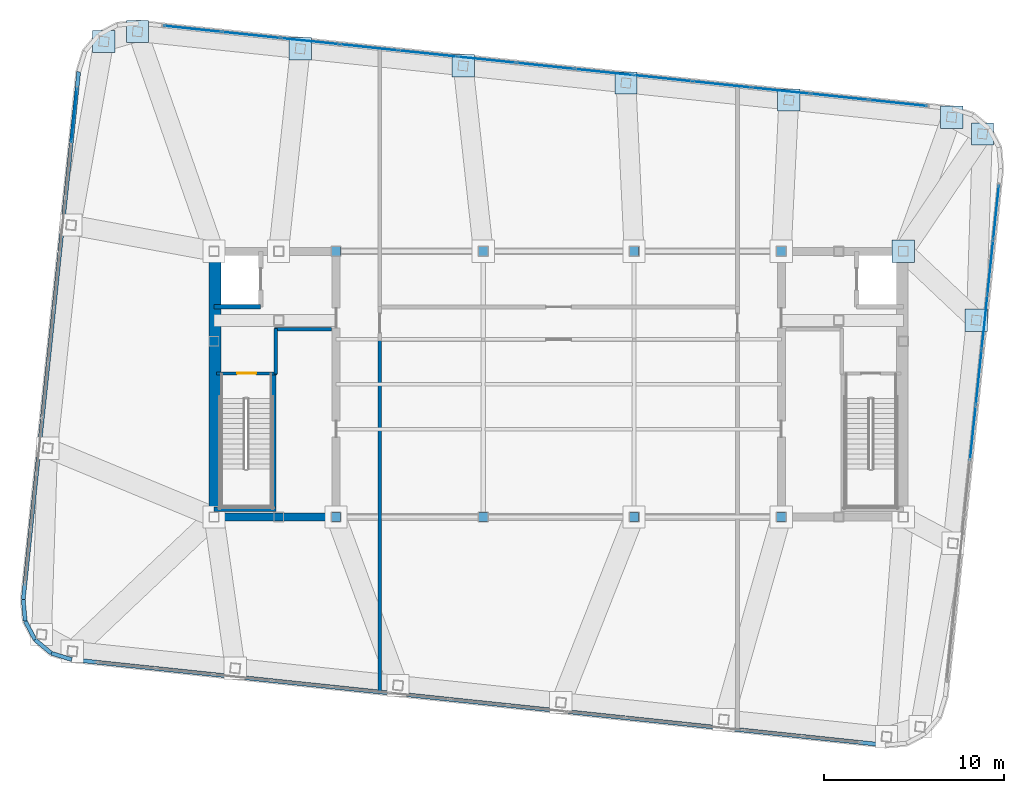
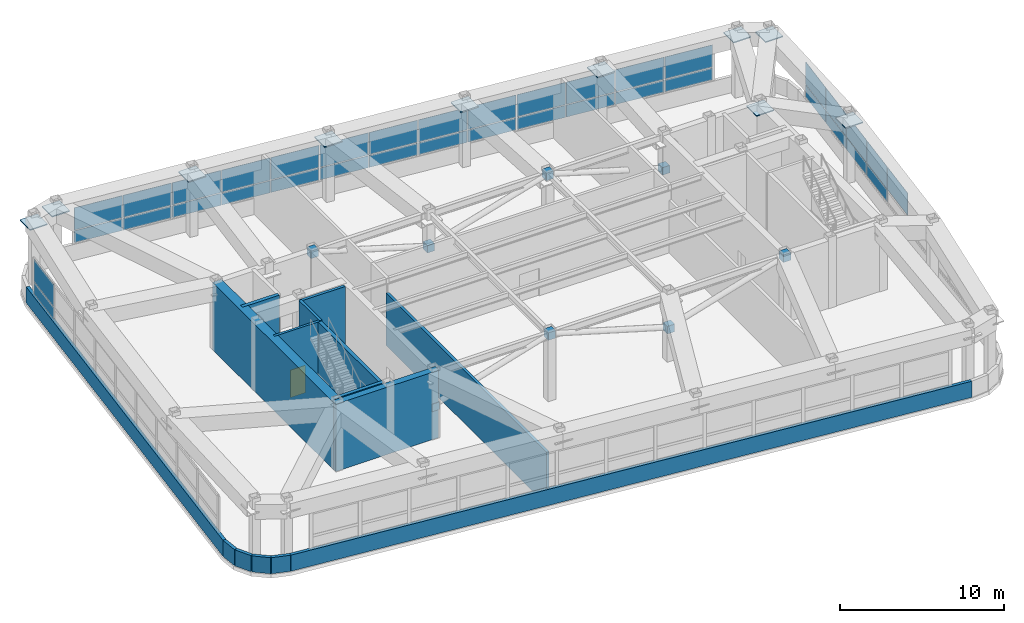
# One storey, part 19 of 23: 55 plates, 15 walls, 1 door, 1 opening, 3 elements without a shape of their own.
"""IFC4 building model written with IfcOpenShell, lengths in metres."""

from ifc_helpers import new_model, si_unit, direction, frame, frame_2d, origin, origin_2d, place, context, subcontext, project, spatial, rectangle, extrude, material, layer, layer_set, type_object, element, fill, aggregate, save


model = new_model("IFC4")

# Units and contexts
model_context = context("Model", 3, precision=1e-05, world=origin(), true_north=direction((0.0, 1.0)))
body_context = subcontext(model_context, "Body", "Model", "MODEL_VIEW")
ifc_project = project(units=[si_unit("LENGTHUNIT", "METRE"), si_unit("AREAUNIT", "SQUARE_METRE"), si_unit("VOLUMEUNIT", "CUBIC_METRE"), si_unit("PLANEANGLEUNIT", "RADIAN"), si_unit("MASSUNIT", "GRAM", prefix="KILO")], contexts=[model_context])

# Site, building, storey
site_placement = place(None, origin())
site = spatial("IfcSite", under=ifc_project, at=site_placement, CompositionType="ELEMENT")
building_placement = place(site_placement, origin())
building = spatial("IfcBuilding", under=site, at=building_placement, Name="Voryun Gate Residences", CompositionType="ELEMENT")
storey_placement = place(building_placement, frame((0.0, 0.0, 316.0)))
storey = spatial("IfcBuildingStorey", under=building, at=storey_placement, Name="L78", CompositionType="ELEMENT", Elevation=316.0)

# Plates
ifc_material_1 = material(Name="Steel SM355", Category="steel")
ifc_layer_1 = layer(ifc_material_1, 0.02490234375, Name="PLT_END_CAP_25")
ifc_layer_set_1 = layer_set([ifc_layer_1], Name="Steel SM355")
plate_type_1 = type_object("IfcPlateType", Name="PLT_END_CAP_25", PredefinedType="USERDEFINED", material=ifc_layer_set_1)
for number, where, z_axis, x_axis, name in (
    (1, (23.263916015625, 3.56201171875, 4.43505859375), (0.0, 0.0, 1.0), (1.0, 0.0, 0.0), "L78 Hollow Member End-Cap Plate EC-960"),
    (2, (23.603759765625, 13.9404296875, 4.43505859375), (0.0, 0.0, 1.0), (1.0, 0.0, 0.0), "L78 Hollow Member End-Cap Plate EC-961"),
    (3, (21.888671875, 14.87158203125, 4.43505859375), (0.0, 0.0, 1.0), (1.0, 0.0, 0.0), "L78 Hollow Member End-Cap Plate EC-962"),
    (4, (12.818603515625, 15.824951171875, 4.43505859375), (0.0, 0.0, 1.0), (1.0, 0.0, 0.0), "L78 Hollow Member End-Cap Plate EC-963"),
    (5, (3.74853515625, 16.7783203125, 4.43505859375), (0.0, 0.0, 1.0), (1.0, 0.0, 0.0), "L78 Hollow Member End-Cap Plate EC-964"),
    (6, (-5.3212890625, 17.731689453125, 4.43505859375), (0.0, 0.0, 1.0), (1.0, 0.0, 0.0), "L78 Hollow Member End-Cap Plate EC-965"),
    (7, (-14.3916015625, 18.684814453125, 4.43505859375), (0.0, 0.0, 1.0), (1.0, 0.0, 0.0), "L78 Hollow Member End-Cap Plate EC-966"),
    (8, (-23.46142578125, 19.63818359375, 4.43505859375), (0.0, 0.0, 1.0), (1.0, 0.0, 0.0), "L78 Hollow Member End-Cap Plate EC-967"),
    (9, (-25.332763671875, 19.083984375, 4.43505859375), (0.0, 0.0, 1.0), (1.0, 0.0, 0.0), "L78 Hollow Member End-Cap Plate EC-968"),
    (10, (19.199951171875, 7.39990234375, 4.43505859375), (0.0, 0.0, 1.0), (1.0, 0.0, 0.0), "L78 Hollow Member End-Cap Plate EC-977"),
):
    element("IfcPlate", number, at=place(storey_placement, frame(where, z_axis=z_axis, x_axis=x_axis)), inside=storey, type_object=plate_type_1, Name=name, ObjectType="BASE_PLATE", PredefinedType="USERDEFINED", context=body_context, shape_type="SweptSolid", body=[
        extrude(rectangle(XDim=1.239990234375, YDim=1.239990234375, at=origin_2d()), origin(), (0.0, 0.0, 1.0), 0.080078125),
    ])
for number, where, z_axis, x_axis, name in (
    (11, (-4.199951171875, -7.39990234375, 4.56494140625), (0.0, 0.0, 1.0), (1.0, 0.0, 0.0), "L78 Brace Node Connection Plate BN-984"),
    (12, (12.39990234375, -7.39990234375, 4.56494140625), (0.0, 0.0, 1.0), (1.0, 0.0, 0.0), "L78 Brace Node Connection Plate BN-986"),
    (13, (-12.39990234375, 7.39990234375, 4.56494140625), (0.0, 0.0, 1.0), (1.0, 0.0, 0.0), "L78 Brace Node Connection Plate BN-988"),
    (14, (12.39990234375, 7.39990234375, 2.099853515625), (0.0, 0.0, 1.0), (1.0, 0.0, 0.0), "L78 Brace Node Connection Plate BN-990"),
):
    element("IfcPlate", number, at=place(storey_placement, frame(where, z_axis=z_axis, x_axis=x_axis)), inside=storey, type_object=plate_type_1, Name=name, ObjectType="BASE_PLATE", PredefinedType="USERDEFINED", context=body_context, shape_type="SweptSolid", body=[
        extrude(rectangle(XDim=0.52001953125, YDim=0.52001953125, at=origin_2d()), origin(), (0.0, 0.0, 1.0), 0.56005859375),
    ])

# Curtain wall, plates
ifc_material_2 = material(Name="Anodised aluminium", Category="aluminium")
ifc_layer_2 = layer(ifc_material_2, 0.22998046875, Name="CW_SYS_LANTERN_DARK_GLASS")
ifc_layer_set_2 = layer_set([ifc_layer_2], Name="Anodised aluminium")
curtain_wall_type = type_object("IfcCurtainWallType", Name="CW_SYS_LANTERN_DARK_GLASS", PredefinedType="NOTDEFINED", material=ifc_layer_set_2)
curtain_wall_1_placement = place(storey_placement, origin())
curtain_wall_1 = element("IfcCurtainWall", 15, at=curtain_wall_1_placement, inside=storey, type_object=curtain_wall_type, Name="Curtain wall CW6-L78-06", PredefinedType="NOTDEFINED")
ifc_material_3 = material(Name="Fritted lantern glass", Category="glass")
ifc_layer_3 = layer(ifc_material_3, 0.050048828125, Name="PLT_GLASS_FRIT_LANTERN")
ifc_layer_set_3 = layer_set([ifc_layer_3], Name="Fritted lantern glass")
plate_type_2 = type_object("IfcPlateType", Name="PLT_GLASS_FRIT_LANTERN", PredefinedType="CURTAIN_PANEL", material=ifc_layer_set_3)
plate_1_placement = place(storey_placement, frame((-26.989013671875, 14.9677734375, 1.25), z_axis=(0.0, 0.0, 1.0), x_axis=(0.104528004296, 0.994521943608, 0.0)))
plate_1 = element("IfcPlate", 16, at=plate_1_placement, type_object=plate_type_2, Name="CW6 panel 9.1", PredefinedType="CURTAIN_PANEL", context=body_context, shape_type="SweptSolid", body=[
    extrude(rectangle(XDim=2.997802734375, YDim=0.028076171875, at=origin_2d()), origin(), (0.0, 0.0, 1.0), 0.89111328125),
])
plate_2_placement = place(storey_placement, frame((-26.989013671875, 14.9677734375, 2.201171875), z_axis=(0.0, 0.0, 1.0), x_axis=(0.104528004296, 0.994521943608, 0.0)))
plate_2 = element("IfcPlate", 17, at=plate_2_placement, type_object=plate_type_2, Name="CW6 panel 9.2", PredefinedType="CURTAIN_PANEL", context=body_context, shape_type="SweptSolid", body=[
    extrude(rectangle(XDim=2.997802734375, YDim=0.028076171875, at=origin_2d()), origin(), (0.0, 0.0, 1.0), 1.654052734375),
])
aggregate(curtain_wall_1, [plate_1, plate_2])

curtain_wall_2_placement = place(storey_placement, origin())
curtain_wall_2 = element("IfcCurtainWall", 18, at=curtain_wall_2_placement, inside=storey, type_object=curtain_wall_type, Name="Curtain wall CW6-L78-11", PredefinedType="NOTDEFINED")
plate_3_placement = place(storey_placement, frame((-20.382080078125, 19.787109375, 1.25), z_axis=(0.0, 0.0, 1.0), x_axis=(0.994521969434, -0.10452775858, 0.0)))
plate_3 = element("IfcPlate", 19, at=plate_3_placement, type_object=plate_type_2, Name="CW6 panel 1.1", PredefinedType="CURTAIN_PANEL", context=body_context, shape_type="SweptSolid", body=[
    extrude(rectangle(XDim=3.20458984375, YDim=0.028076171875, at=origin_2d()), origin(), (0.0, 0.0, 1.0), 0.89111328125),
])
plate_4_placement = place(storey_placement, frame((-20.382080078125, 19.787109375, 2.201171875), z_axis=(0.0, 0.0, 1.0), x_axis=(0.994521969434, -0.10452775858, 0.0)))
plate_4 = element("IfcPlate", 20, at=plate_4_placement, type_object=plate_type_2, Name="CW6 panel 1.2", PredefinedType="CURTAIN_PANEL", context=body_context, shape_type="SweptSolid", body=[
    extrude(rectangle(XDim=3.20458984375, YDim=0.028076171875, at=origin_2d()), origin(), (0.0, 0.0, 1.0), 1.654052734375),
])
plate_5_placement = place(storey_placement, frame((-17.120361328125, 19.4443359375, 1.25), z_axis=(0.0, 0.0, 1.0), x_axis=(0.994521969434, -0.10452775858, 0.0)))
plate_5 = element("IfcPlate", 21, at=plate_5_placement, type_object=plate_type_2, Name="CW6 panel 2.1", PredefinedType="CURTAIN_PANEL", context=body_context, shape_type="SweptSolid", body=[
    extrude(rectangle(XDim=3.234619140625, YDim=0.028076171875, at=origin_2d()), origin(), (0.0, 0.0, 1.0), 0.89111328125),
])
plate_6_placement = place(storey_placement, frame((-17.120361328125, 19.4443359375, 2.201171875), z_axis=(0.0, 0.0, 1.0), x_axis=(0.994521969434, -0.10452775858, 0.0)))
plate_6 = element("IfcPlate", 22, at=plate_6_placement, type_object=plate_type_2, Name="CW6 panel 2.2", PredefinedType="CURTAIN_PANEL", context=body_context, shape_type="SweptSolid", body=[
    extrude(rectangle(XDim=3.234619140625, YDim=0.028076171875, at=origin_2d()), origin(), (0.0, 0.0, 1.0), 1.654052734375),
])
plate_7_placement = place(storey_placement, frame((-13.84375, 19.099853515625, 1.25), z_axis=(0.0, 0.0, 1.0), x_axis=(0.994521969434, -0.10452775858, 0.0)))
plate_7 = element("IfcPlate", 23, at=plate_7_placement, type_object=plate_type_2, Name="CW6 panel 3.1", PredefinedType="CURTAIN_PANEL", context=body_context, shape_type="SweptSolid", body=[
    extrude(rectangle(XDim=3.234619140625, YDim=0.028076171875, at=origin_2d()), origin(), (0.0, 0.0, 1.0), 0.89111328125),
])
plate_8_placement = place(storey_placement, frame((-13.84375, 19.099853515625, 2.201171875), z_axis=(0.0, 0.0, 1.0), x_axis=(0.994521969434, -0.10452775858, 0.0)))
plate_8 = element("IfcPlate", 24, at=plate_8_placement, type_object=plate_type_2, Name="CW6 panel 3.2", PredefinedType="CURTAIN_PANEL", context=body_context, shape_type="SweptSolid", body=[
    extrude(rectangle(XDim=3.234619140625, YDim=0.028076171875, at=origin_2d()), origin(), (0.0, 0.0, 1.0), 1.654052734375),
])
plate_9_placement = place(storey_placement, frame((-10.567138671875, 18.755615234375, 1.25), z_axis=(0.0, 0.0, 1.0), x_axis=(0.994521969434, -0.10452775858, 0.0)))
plate_9 = element("IfcPlate", 25, at=plate_9_placement, type_object=plate_type_2, Name="CW6 panel 4.1", PredefinedType="CURTAIN_PANEL", context=body_context, shape_type="SweptSolid", body=[
    extrude(rectangle(XDim=3.234619140625, YDim=0.028076171875, at=origin_2d()), origin(), (0.0, 0.0, 1.0), 0.89111328125),
])
plate_10_placement = place(storey_placement, frame((-10.567138671875, 18.755615234375, 2.201171875), z_axis=(0.0, 0.0, 1.0), x_axis=(0.994521969434, -0.10452775858, 0.0)))
plate_10 = element("IfcPlate", 26, at=plate_10_placement, type_object=plate_type_2, Name="CW6 panel 4.2", PredefinedType="CURTAIN_PANEL", context=body_context, shape_type="SweptSolid", body=[
    extrude(rectangle(XDim=3.234619140625, YDim=0.028076171875, at=origin_2d()), origin(), (0.0, 0.0, 1.0), 1.654052734375),
])
plate_11_placement = place(storey_placement, frame((-7.29052734375, 18.4111328125, 1.25), z_axis=(0.0, 0.0, 1.0), x_axis=(0.994521969434, -0.10452775858, 0.0)))
plate_11 = element("IfcPlate", 27, at=plate_11_placement, type_object=plate_type_2, Name="CW6 panel 5.1", PredefinedType="CURTAIN_PANEL", context=body_context, shape_type="SweptSolid", body=[
    extrude(rectangle(XDim=3.234619140625, YDim=0.028076171875, at=origin_2d()), origin(), (0.0, 0.0, 1.0), 0.89111328125),
])
plate_12_placement = place(storey_placement, frame((-7.29052734375, 18.4111328125, 2.201171875), z_axis=(0.0, 0.0, 1.0), x_axis=(0.994521969434, -0.10452775858, 0.0)))
plate_12 = element("IfcPlate", 28, at=plate_12_placement, type_object=plate_type_2, Name="CW6 panel 5.2", PredefinedType="CURTAIN_PANEL", context=body_context, shape_type="SweptSolid", body=[
    extrude(rectangle(XDim=3.234619140625, YDim=0.028076171875, at=origin_2d()), origin(), (0.0, 0.0, 1.0), 1.654052734375),
])
plate_13_placement = place(storey_placement, frame((-4.013916015625, 18.06689453125, 1.25), z_axis=(0.0, 0.0, 1.0), x_axis=(0.994521969434, -0.10452775858, 0.0)))
plate_13 = element("IfcPlate", 29, at=plate_13_placement, type_object=plate_type_2, Name="CW6 panel 6.1", PredefinedType="CURTAIN_PANEL", context=body_context, shape_type="SweptSolid", body=[
    extrude(rectangle(XDim=3.234619140625, YDim=0.028076171875, at=origin_2d()), origin(), (0.0, 0.0, 1.0), 0.89111328125),
])
plate_14_placement = place(storey_placement, frame((-4.013916015625, 18.06689453125, 2.201171875), z_axis=(0.0, 0.0, 1.0), x_axis=(0.994521969434, -0.10452775858, 0.0)))
plate_14 = element("IfcPlate", 30, at=plate_14_placement, type_object=plate_type_2, Name="CW6 panel 6.2", PredefinedType="CURTAIN_PANEL", context=body_context, shape_type="SweptSolid", body=[
    extrude(rectangle(XDim=3.234619140625, YDim=0.028076171875, at=origin_2d()), origin(), (0.0, 0.0, 1.0), 1.654052734375),
])
plate_15_placement = place(storey_placement, frame((-0.7373046875, 17.722412109375, 1.25), z_axis=(0.0, 0.0, 1.0), x_axis=(0.994521969434, -0.10452775858, 0.0)))
plate_15 = element("IfcPlate", 31, at=plate_15_placement, type_object=plate_type_2, Name="CW6 panel 7.1", PredefinedType="CURTAIN_PANEL", context=body_context, shape_type="SweptSolid", body=[
    extrude(rectangle(XDim=3.234619140625, YDim=0.028076171875, at=origin_2d()), origin(), (0.0, 0.0, 1.0), 0.89111328125),
])
plate_16_placement = place(storey_placement, frame((-0.7373046875, 17.722412109375, 2.201171875), z_axis=(0.0, 0.0, 1.0), x_axis=(0.994521969434, -0.10452775858, 0.0)))
plate_16 = element("IfcPlate", 32, at=plate_16_placement, type_object=plate_type_2, Name="CW6 panel 7.2", PredefinedType="CURTAIN_PANEL", context=body_context, shape_type="SweptSolid", body=[
    extrude(rectangle(XDim=3.234619140625, YDim=0.028076171875, at=origin_2d()), origin(), (0.0, 0.0, 1.0), 1.654052734375),
])
plate_17_placement = place(storey_placement, frame((2.539306640625, 17.3779296875, 1.25), z_axis=(0.0, 0.0, 1.0), x_axis=(0.994521969434, -0.10452775858, 0.0)))
plate_17 = element("IfcPlate", 33, at=plate_17_placement, type_object=plate_type_2, Name="CW6 panel 8.1", PredefinedType="CURTAIN_PANEL", context=body_context, shape_type="SweptSolid", body=[
    extrude(rectangle(XDim=3.234619140625, YDim=0.028076171875, at=origin_2d()), origin(), (0.0, 0.0, 1.0), 0.89111328125),
])
plate_18_placement = place(storey_placement, frame((2.539306640625, 17.3779296875, 2.201171875), z_axis=(0.0, 0.0, 1.0), x_axis=(0.994521969434, -0.10452775858, 0.0)))
plate_18 = element("IfcPlate", 34, at=plate_18_placement, type_object=plate_type_2, Name="CW6 panel 8.2", PredefinedType="CURTAIN_PANEL", context=body_context, shape_type="SweptSolid", body=[
    extrude(rectangle(XDim=3.234619140625, YDim=0.028076171875, at=origin_2d()), origin(), (0.0, 0.0, 1.0), 1.654052734375),
])
plate_19_placement = place(storey_placement, frame((5.81591796875, 17.03369140625, 1.25), z_axis=(0.0, 0.0, 1.0), x_axis=(0.994521969434, -0.10452775858, 0.0)))
plate_19 = element("IfcPlate", 35, at=plate_19_placement, type_object=plate_type_2, Name="CW6 panel 9.1", PredefinedType="CURTAIN_PANEL", context=body_context, shape_type="SweptSolid", body=[
    extrude(rectangle(XDim=3.234619140625, YDim=0.028076171875, at=origin_2d()), origin(), (0.0, 0.0, 1.0), 0.89111328125),
])
plate_20_placement = place(storey_placement, frame((5.81591796875, 17.03369140625, 2.201171875), z_axis=(0.0, 0.0, 1.0), x_axis=(0.994521969434, -0.10452775858, 0.0)))
plate_20 = element("IfcPlate", 36, at=plate_20_placement, type_object=plate_type_2, Name="CW6 panel 9.2", PredefinedType="CURTAIN_PANEL", context=body_context, shape_type="SweptSolid", body=[
    extrude(rectangle(XDim=3.234619140625, YDim=0.028076171875, at=origin_2d()), origin(), (0.0, 0.0, 1.0), 1.654052734375),
])
plate_21_placement = place(storey_placement, frame((9.092529296875, 16.689208984375, 1.25), z_axis=(0.0, 0.0, 1.0), x_axis=(0.994521969434, -0.10452775858, 0.0)))
plate_21 = element("IfcPlate", 37, at=plate_21_placement, type_object=plate_type_2, Name="CW6 panel 10.1", PredefinedType="CURTAIN_PANEL", context=body_context, shape_type="SweptSolid", body=[
    extrude(rectangle(XDim=3.234619140625, YDim=0.028076171875, at=origin_2d()), origin(), (0.0, 0.0, 1.0), 0.89111328125),
])
plate_22_placement = place(storey_placement, frame((9.092529296875, 16.689208984375, 2.201171875), z_axis=(0.0, 0.0, 1.0), x_axis=(0.994521969434, -0.10452775858, 0.0)))
plate_22 = element("IfcPlate", 38, at=plate_22_placement, type_object=plate_type_2, Name="CW6 panel 10.2", PredefinedType="CURTAIN_PANEL", context=body_context, shape_type="SweptSolid", body=[
    extrude(rectangle(XDim=3.234619140625, YDim=0.028076171875, at=origin_2d()), origin(), (0.0, 0.0, 1.0), 1.654052734375),
])
plate_23_placement = place(storey_placement, frame((12.369140625, 16.344970703125, 1.25), z_axis=(0.0, 0.0, 1.0), x_axis=(0.994521969434, -0.10452775858, 0.0)))
plate_23 = element("IfcPlate", 39, at=plate_23_placement, type_object=plate_type_2, Name="CW6 panel 11.1", PredefinedType="CURTAIN_PANEL", context=body_context, shape_type="SweptSolid", body=[
    extrude(rectangle(XDim=3.234619140625, YDim=0.028076171875, at=origin_2d()), origin(), (0.0, 0.0, 1.0), 0.89111328125),
])
plate_24_placement = place(storey_placement, frame((12.369140625, 16.344970703125, 2.201171875), z_axis=(0.0, 0.0, 1.0), x_axis=(0.994521969434, -0.10452775858, 0.0)))
plate_24 = element("IfcPlate", 40, at=plate_24_placement, type_object=plate_type_2, Name="CW6 panel 11.2", PredefinedType="CURTAIN_PANEL", context=body_context, shape_type="SweptSolid", body=[
    extrude(rectangle(XDim=3.234619140625, YDim=0.028076171875, at=origin_2d()), origin(), (0.0, 0.0, 1.0), 1.654052734375),
])
plate_25_placement = place(storey_placement, frame((15.645751953125, 16.00048828125, 1.25), z_axis=(0.0, 0.0, 1.0), x_axis=(0.994521969434, -0.10452775858, 0.0)))
plate_25 = element("IfcPlate", 41, at=plate_25_placement, type_object=plate_type_2, Name="CW6 panel 12.1", PredefinedType="CURTAIN_PANEL", context=body_context, shape_type="SweptSolid", body=[
    extrude(rectangle(XDim=3.234619140625, YDim=0.028076171875, at=origin_2d()), origin(), (0.0, 0.0, 1.0), 0.89111328125),
])
plate_26_placement = place(storey_placement, frame((15.645751953125, 16.00048828125, 2.201171875), z_axis=(0.0, 0.0, 1.0), x_axis=(0.994521969434, -0.10452775858, 0.0)))
plate_26 = element("IfcPlate", 42, at=plate_26_placement, type_object=plate_type_2, Name="CW6 panel 12.2", PredefinedType="CURTAIN_PANEL", context=body_context, shape_type="SweptSolid", body=[
    extrude(rectangle(XDim=3.234619140625, YDim=0.028076171875, at=origin_2d()), origin(), (0.0, 0.0, 1.0), 1.654052734375),
])
plate_27_placement = place(storey_placement, frame((18.907470703125, 15.65771484375, 1.25), z_axis=(0.0, 0.0, 1.0), x_axis=(0.994521969434, -0.10452775858, 0.0)))
plate_27 = element("IfcPlate", 43, at=plate_27_placement, type_object=plate_type_2, Name="CW6 panel 13.1", PredefinedType="CURTAIN_PANEL", context=body_context, shape_type="SweptSolid", body=[
    extrude(rectangle(XDim=3.20458984375, YDim=0.028076171875, at=origin_2d()), origin(), (0.0, 0.0, 1.0), 0.89111328125),
])
plate_28_placement = place(storey_placement, frame((18.907470703125, 15.65771484375, 2.201171875), z_axis=(0.0, 0.0, 1.0), x_axis=(0.994521969434, -0.10452775858, 0.0)))
plate_28 = element("IfcPlate", 44, at=plate_28_placement, type_object=plate_type_2, Name="CW6 panel 13.2", PredefinedType="CURTAIN_PANEL", context=body_context, shape_type="SweptSolid", body=[
    extrude(rectangle(XDim=3.20458984375, YDim=0.028076171875, at=origin_2d()), origin(), (0.0, 0.0, 1.0), 1.654052734375),
])
aggregate(curtain_wall_2, [plate_3, plate_4, plate_5, plate_6, plate_7, plate_8, plate_9, plate_10, plate_11, plate_12, plate_13, plate_14, plate_15, plate_16, plate_17, plate_18, plate_19, plate_20, plate_21, plate_22, plate_23, plate_24, plate_25, plate_26, plate_27, plate_28])

curtain_wall_3_placement = place(storey_placement, origin())
curtain_wall_3 = element("IfcCurtainWall", 45, at=curtain_wall_3_placement, inside=storey, type_object=curtain_wall_type, Name="Curtain wall CW6-L78-16", PredefinedType="NOTDEFINED")
plate_29_placement = place(storey_placement, frame((24.3681640625, 9.56982421875, 1.25), z_axis=(0.0, 0.0, 1.0), x_axis=(-0.104528004296, -0.994521943608, 0.0)))
plate_29 = element("IfcPlate", 46, at=plate_29_placement, type_object=plate_type_2, Name="CW6 panel 1.1", PredefinedType="CURTAIN_PANEL", context=body_context, shape_type="SweptSolid", body=[
    extrude(rectangle(XDim=2.997802734375, YDim=0.028076171875, at=origin_2d()), origin(), (0.0, 0.0, 1.0), 0.89111328125),
])
plate_30_placement = place(storey_placement, frame((24.3681640625, 9.56982421875, 2.201171875), z_axis=(0.0, 0.0, 1.0), x_axis=(-0.104528004296, -0.994521943608, 0.0)))
plate_30 = element("IfcPlate", 47, at=plate_30_placement, type_object=plate_type_2, Name="CW6 panel 1.2", PredefinedType="CURTAIN_PANEL", context=body_context, shape_type="SweptSolid", body=[
    extrude(rectangle(XDim=2.997802734375, YDim=0.028076171875, at=origin_2d()), origin(), (0.0, 0.0, 1.0), 1.654052734375),
])
plate_31_placement = place(storey_placement, frame((24.046875, 6.513916015625, 1.25), z_axis=(0.0, 0.0, 1.0), x_axis=(-0.104528004296, -0.994521943608, 0.0)))
plate_31 = element("IfcPlate", 48, at=plate_31_placement, type_object=plate_type_2, Name="CW6 panel 2.1", PredefinedType="CURTAIN_PANEL", context=body_context, shape_type="SweptSolid", body=[
    extrude(rectangle(XDim=3.02783203125, YDim=0.028076171875, at=origin_2d()), origin(), (0.0, 0.0, 1.0), 0.89111328125),
])
plate_32_placement = place(storey_placement, frame((24.046875, 6.513916015625, 2.201171875), z_axis=(0.0, 0.0, 1.0), x_axis=(-0.104528004296, -0.994521943608, 0.0)))
plate_32 = element("IfcPlate", 49, at=plate_32_placement, type_object=plate_type_2, Name="CW6 panel 2.2", PredefinedType="CURTAIN_PANEL", context=body_context, shape_type="SweptSolid", body=[
    extrude(rectangle(XDim=3.02783203125, YDim=0.028076171875, at=origin_2d()), origin(), (0.0, 0.0, 1.0), 1.654052734375),
])
plate_33_placement = place(storey_placement, frame((23.72412109375, 3.44287109375, 1.25), z_axis=(0.0, 0.0, 1.0), x_axis=(-0.104528004296, -0.994521943608, 0.0)))
plate_33 = element("IfcPlate", 50, at=plate_33_placement, type_object=plate_type_2, Name="CW6 panel 3.1", PredefinedType="CURTAIN_PANEL", context=body_context, shape_type="SweptSolid", body=[
    extrude(rectangle(XDim=3.02783203125, YDim=0.028076171875, at=origin_2d()), origin(), (0.0, 0.0, 1.0), 0.89111328125),
])
plate_34_placement = place(storey_placement, frame((23.72412109375, 3.44287109375, 2.201171875), z_axis=(0.0, 0.0, 1.0), x_axis=(-0.104528004296, -0.994521943608, 0.0)))
plate_34 = element("IfcPlate", 51, at=plate_34_placement, type_object=plate_type_2, Name="CW6 panel 3.2", PredefinedType="CURTAIN_PANEL", context=body_context, shape_type="SweptSolid", body=[
    extrude(rectangle(XDim=3.02783203125, YDim=0.028076171875, at=origin_2d()), origin(), (0.0, 0.0, 1.0), 1.654052734375),
])
plate_35_placement = place(storey_placement, frame((23.4013671875, 0.3720703125, 1.25), z_axis=(0.0, 0.0, 1.0), x_axis=(-0.104528004296, -0.994521943608, 0.0)))
plate_35 = element("IfcPlate", 52, at=plate_35_placement, type_object=plate_type_2, Name="CW6 panel 4.1", PredefinedType="CURTAIN_PANEL", context=body_context, shape_type="SweptSolid", body=[
    extrude(rectangle(XDim=3.02783203125, YDim=0.028076171875, at=origin_2d()), origin(), (0.0, 0.0, 1.0), 0.89111328125),
])
plate_36_placement = place(storey_placement, frame((23.4013671875, 0.3720703125, 2.201171875), z_axis=(0.0, 0.0, 1.0), x_axis=(-0.104528004296, -0.994521943608, 0.0)))
plate_36 = element("IfcPlate", 53, at=plate_36_placement, type_object=plate_type_2, Name="CW6 panel 4.2", PredefinedType="CURTAIN_PANEL", context=body_context, shape_type="SweptSolid", body=[
    extrude(rectangle(XDim=3.02783203125, YDim=0.028076171875, at=origin_2d()), origin(), (0.0, 0.0, 1.0), 1.654052734375),
])
plate_37_placement = place(storey_placement, frame((23.07861328125, -2.698974609375, 2.201171875), z_axis=(0.0, 0.0, 1.0), x_axis=(-0.104528004296, -0.994521943608, 0.0)))
plate_37 = element("IfcPlate", 54, at=plate_37_placement, type_object=plate_type_2, Name="CW6 panel 5.2", PredefinedType="CURTAIN_PANEL", context=body_context, shape_type="SweptSolid", body=[
    extrude(rectangle(XDim=3.02783203125, YDim=0.028076171875, at=origin_2d()), origin(), (0.0, 0.0, 1.0), 1.654052734375),
])
aggregate(curtain_wall_3, [plate_29, plate_30, plate_31, plate_32, plate_33, plate_34, plate_35, plate_36, plate_37])

# Plates
ifc_material_4 = material(Name="Steel SM420", Category="steel")
ifc_layer_4 = layer(ifc_material_4, 0.035888671875, Name="PLT_OUTRIGGER_GUSSET_36")
ifc_layer_set_4 = layer_set([ifc_layer_4], Name="Steel SM420")
plate_type_3 = type_object("IfcPlateType", Name="PLT_OUTRIGGER_GUSSET_36", PredefinedType="USERDEFINED", material=ifc_layer_set_4)
for number, where, z_axis, x_axis, name in (
    (55, (-12.39990234375, -7.39990234375, 2.099853515625), (0.0, 0.0, 1.0), (1.0, 0.0, 0.0), "L78 Brace Node Connection Plate BN-983"),
    (56, (4.199951171875, -7.39990234375, 2.099853515625), (0.0, 0.0, 1.0), (1.0, 0.0, 0.0), "L78 Brace Node Connection Plate BN-985"),
    (57, (-4.199951171875, 7.39990234375, 2.099853515625), (0.0, 0.0, 1.0), (1.0, 0.0, 0.0), "L78 Brace Node Connection Plate BN-987"),
    (58, (4.199951171875, 7.39990234375, 4.56494140625), (0.0, 0.0, 1.0), (1.0, 0.0, 0.0), "L78 Brace Node Connection Plate BN-989"),
):
    element("IfcPlate", number, at=place(storey_placement, frame(where, z_axis=z_axis, x_axis=x_axis)), inside=storey, type_object=plate_type_3, Name=name, ObjectType="GUSSET_PLATE", PredefinedType="USERDEFINED", context=body_context, shape_type="SweptSolid", body=[
        extrude(rectangle(XDim=0.52001953125, YDim=0.52001953125, at=origin_2d()), origin(), (0.0, 0.0, 1.0), 0.56005859375),
    ])

# Walls
ifc_material_5 = material(Name="Concrete C50/60", Category="concrete")
ifc_layer_5 = layer(ifc_material_5, 0.449951171875, Name="CW_CORE_450")
ifc_layer_set_5 = layer_set([ifc_layer_5], Name="Concrete C50/60")
wall_type_1 = type_object("IfcWallType", Name="CW_CORE_450", PredefinedType="SHEAR", material=ifc_layer_set_5)
wall_1_placement = place(storey_placement, frame((-19.425048828125, -7.39990234375, 0.0), z_axis=(0.0, 0.0, 1.0), x_axis=(1.0, 0.0, 0.0)))
element("IfcWall", 59, at=wall_1_placement, inside=storey, type_object=wall_type_1, Name="L78 Core shear wall CW-L78-WS", PredefinedType="SHEAR", context=body_context, shape_type="SweptSolid", body=[
    extrude(rectangle(XDim=7.25, YDim=0.449951171875, at=frame_2d((3.625, 0.0))), origin(), (0.0, 0.0, 1.0), 5.02490234375),
])
ifc_material_6 = material(Name="Concrete C60/75", Category="concrete")
ifc_layer_6 = layer(ifc_material_6, 0.64990234375, Name="CW_CORE_650")
ifc_layer_set_6 = layer_set([ifc_layer_6], Name="Concrete C60/75")
wall_type_2 = type_object("IfcWallType", Name="CW_CORE_650", PredefinedType="SHEAR", material=ifc_layer_set_6)
wall_2_placement = place(storey_placement, frame((-19.14501953125, -7.39990234375, 0.0), z_axis=(0.0, 0.0, 1.0), x_axis=(0.0, 1.0, 0.0)))
element("IfcWall", 60, at=wall_2_placement, inside=storey, type_object=wall_type_2, Name="L78 Core shear wall CW-L78-WW", PredefinedType="SHEAR", context=body_context, shape_type="SweptSolid", body=[
    extrude(rectangle(XDim=14.7998046875, YDim=0.64990234375, at=frame_2d((7.39990234375, 0.0))), origin(), (0.0, 0.0, 1.0), 5.02490234375),
])

# Wall, opening, door
ifc_material_7 = material(Name="Gypsum acoustic fireboard")
ifc_layer_7 = layer(ifc_material_7, 0.179931640625, Name="W_CORR_RATED_180")
ifc_layer_set_7 = layer_set([ifc_layer_7], Name="Gypsum acoustic fireboard")
wall_type_3 = type_object("IfcWallType", Name="W_CORR_RATED_180", PredefinedType="PARTITIONING", material=ifc_layer_set_7)
wall_3_placement = place(storey_placement, frame((-19.06005859375, 0.60009765625, 0.0), z_axis=(0.0, 0.0, 1.0), x_axis=(1.0, 0.0, 0.0)))
wall_3 = element("IfcWall", 61, at=wall_3_placement, inside=storey, type_object=wall_type_3, Name="Partition wall WP-L78-STV-W", PredefinedType="PARTITIONING", context=body_context, shape_type="SweptSolid", body=[
    extrude(rectangle(XDim=3.360107421875, YDim=0.179931640625, at=frame_2d((1.68017578125, 0.0))), origin(), (0.0, 0.0, 1.0), 5.02490234375),
])
opening_placement = place(wall_3_placement, frame((1.155029296875, 0.0, 0.0)))
opening = element("IfcOpeningElement", 62, at=opening_placement, cuts=wall_3, Name="Opening D-FD60-1", PredefinedType="OPENING", context=body_context, shape_type="SweptSolid", body=[
    extrude(rectangle(XDim=1.050048828125, YDim=2.050048828125, at=frame_2d((0.52490234375, 1.02490234375))), frame((0.0, 0.099853515625, 0.0), z_axis=(0.0, -1.0, 0.0), x_axis=(1.0, 0.0, 0.0)), (0.0, 0.0, 1.0), 0.199951171875),
])
ifc_material_8 = material(Name="Painted steel fire door", Category="steel")
door_type = type_object("IfcDoorType", Name="DR_FD60_STAIR_1050", OperationType="NOTDEFINED", PredefinedType="DOOR", material=ifc_material_8)
door_placement = place(opening_placement, origin())
door = element("IfcDoor", 63, at=door_placement, inside=storey, type_object=door_type, Name="Door DR-L78-ST-W", OperationType="SINGLE_SWING_LEFT", OverallHeight=2.050048828125, OverallWidth=1.050048828125, PredefinedType="DOOR", context=body_context, shape_type="SweptSolid", body=[
    extrude(rectangle(XDim=1.050048828125, YDim=2.050048828125, at=frame_2d((0.52490234375, 1.02490234375))), frame((0.0, 0.02490234375, 0.0), z_axis=(0.0, -1.0, 0.0), x_axis=(1.0, 0.0, 0.0)), (0.0, 0.0, 1.0), 0.050048828125),
])
fill(opening, door)

# Walls
ifc_material_9 = material(Name="Concrete C40/50", Category="concrete")
ifc_layer_8 = layer(ifc_material_9, 0.199951171875, Name="W_FF_LOBBY_200")
ifc_layer_set_8 = layer_set([ifc_layer_8], Name="Concrete C40/50")
wall_type_4 = type_object("IfcWallType", Name="W_FF_LOBBY_200", PredefinedType="PARTITIONING", material=ifc_layer_set_8)
wall_4_placement = place(storey_placement, frame((-15.760009765625, 0.580078125, 0.0), z_axis=(0.0, 0.0, 1.0), x_axis=(0.0, 1.0, 0.0)))
element("IfcWall", 64, at=wall_4_placement, inside=storey, type_object=wall_type_4, Name="Partition wall WP-L78-FFP0-W", PredefinedType="PARTITIONING", context=body_context, shape_type="SweptSolid", body=[
    extrude(rectangle(XDim=2.52001953125, YDim=0.199951171875, at=frame_2d((1.260009765625, 0.0))), origin(), (0.0, 0.0, 1.0), 5.02490234375),
])
wall_5_placement = place(storey_placement, frame((-15.820068359375, 3.06005859375, 0.0), z_axis=(0.0, 0.0, 1.0), x_axis=(1.0, 0.0, 0.0)))
element("IfcWall", 65, at=wall_5_placement, inside=storey, type_object=wall_type_4, Name="Partition wall WP-L78-FFPS-W", PredefinedType="PARTITIONING", context=body_context, shape_type="SweptSolid", body=[
    extrude(rectangle(XDim=3.16015625, YDim=0.199951171875, at=frame_2d((1.580078125, 0.0))), origin(), (0.0, 0.0, 1.0), 5.02490234375),
])
wall_6_placement = place(storey_placement, frame((-9.9599609375, -17.12451171875, 0.0), z_axis=(0.0, 0.0, 1.0), x_axis=(0.0, 1.0, 0.0)))
element("IfcWall", 66, at=wall_6_placement, inside=storey, type_object=wall_type_4, Name="Partition wall WP-L78-CW1", PredefinedType="PARTITIONING", context=body_context, shape_type="SweptSolid", body=[
    extrude(rectangle(XDim=19.62451171875, YDim=0.199951171875, at=frame_2d((9.812255859375, 0.0))), origin(), (0.0, 0.0, 1.0), 3.9150390625),
])
ifc_material_10 = material(Name="Precast concrete C40/50", Category="concrete")
ifc_layer_9 = layer(ifc_material_10, 0.219970703125, Name="W_PARAPET_CURB_220")
ifc_layer_set_9 = layer_set([ifc_layer_9], Name="Precast concrete C40/50")
wall_type_5 = type_object("IfcWallType", Name="W_PARAPET_CURB_220", PredefinedType="PARAPET", material=ifc_layer_set_9)
wall_7_placement = place(storey_placement, frame((18.19482421875, -20.103759765625, 0.0), z_axis=(0.0, 0.0, 1.0), x_axis=(-0.994522116558, 0.104526358762, 0.0)))
element("IfcWall", 67, at=wall_7_placement, inside=storey, type_object=wall_type_5, Name="Exterior wall WCRN-L78-01", PredefinedType="PARAPET", context=body_context, shape_type="SweptSolid", body=[
    extrude(rectangle(XDim=45.564453125, YDim=0.219970703125, at=frame_2d((22.7822265625, 0.0))), origin(), (0.0, 0.0, 1.0), 1.199951171875),
])
wall_8_placement = place(storey_placement, frame((-27.1201171875, -15.341064453125, 0.0), z_axis=(0.0, 0.0, 1.0), x_axis=(-0.95499831015, 0.296611239858, 0.0)))
element("IfcWall", 68, at=wall_8_placement, inside=storey, type_object=wall_type_5, Name="Exterior wall WCRN-L78-02", PredefinedType="PARAPET", context=body_context, shape_type="SweptSolid", body=[
    extrude(rectangle(XDim=1.195068359375, YDim=0.219970703125, at=frame_2d((0.59765625, 0.0))), origin(), (0.0, 0.0, 1.0), 1.199951171875),
])
wall_9_placement = place(storey_placement, frame((-28.261474609375, -14.986572265625, 0.0), z_axis=(0.0, 0.0, 1.0), x_axis=(-0.768849923601, 0.639429272852, 0.0)))
element("IfcWall", 69, at=wall_9_placement, inside=storey, type_object=wall_type_5, Name="Exterior wall WCRN-L78-03", PredefinedType="PARAPET", context=body_context, shape_type="SweptSolid", body=[
    extrude(rectangle(XDim=1.177001953125, YDim=0.219970703125, at=frame_2d((0.58837890625, 0.0))), origin(), (0.0, 0.0, 1.0), 1.199951171875),
])
wall_10_placement = place(storey_placement, frame((-29.16650390625, -14.23388671875, 0.0), z_axis=(0.0, 0.0, 1.0), x_axis=(-0.46554120999, 0.885026204019, 0.0)))
element("IfcWall", 70, at=wall_10_placement, inside=storey, type_object=wall_type_5, Name="Exterior wall WCRN-L78-04", PredefinedType="PARAPET", context=body_context, shape_type="SweptSolid", body=[
    extrude(rectangle(XDim=1.1767578125, YDim=0.219970703125, at=frame_2d((0.58837890625, 0.0))), origin(), (0.0, 0.0, 1.0), 1.199951171875),
])
wall_11_placement = place(storey_placement, frame((-29.71435546875, -13.1923828125, 0.0), z_axis=(0.0, 0.0, 1.0), x_axis=(-0.091530451467, 0.995802277791, 0.0)))
element("IfcWall", 71, at=wall_11_placement, inside=storey, type_object=wall_type_5, Name="Exterior wall WCRN-L78-05", PredefinedType="PARAPET", context=body_context, shape_type="SweptSolid", body=[
    extrude(rectangle(XDim=1.195068359375, YDim=0.219970703125, at=frame_2d((0.59765625, 0.0))), origin(), (0.0, 0.0, 1.0), 1.199951171875),
])
wall_12_placement = place(storey_placement, frame((-29.82373046875, -12.00244140625, 0.0), z_axis=(0.0, 0.0, 1.0), x_axis=(0.104528313262, 0.994521911134, 0.0)))
element("IfcWall", 72, at=wall_12_placement, inside=storey, type_object=wall_type_5, Name="Exterior wall WCRN-L78-06", PredefinedType="PARAPET", context=body_context, shape_type="SweptSolid", body=[
    extrude(rectangle(XDim=29.564453125, YDim=0.219970703125, at=frame_2d((14.7822265625, 0.0))), origin(), (0.0, 0.0, 1.0), 1.199951171875),
])
ifc_material_11 = material(Name="Concrete C50/60", Category="concrete")
ifc_layer_10 = layer(ifc_material_11, 0.25, Name="W_SHAFT_RC250")
ifc_layer_set_10 = layer_set([ifc_layer_10], Name="Concrete C50/60")
wall_type_6 = type_object("IfcWallType", Name="W_SHAFT_RC250", PredefinedType="SOLIDWALL", material=ifc_layer_set_10)
wall_13_placement = place(storey_placement, frame((-15.860107421875, -7.0849609375, 0.0), z_axis=(0.0, 0.0, 1.0), x_axis=(0.0, 1.0, 0.0)))
element("IfcWall", 73, at=wall_13_placement, inside=storey, type_object=wall_type_6, Name="L78 Stair shaft structural wall W-STR", PredefinedType="SOLIDWALL", context=body_context, shape_type="SweptSolid", body=[
    extrude(rectangle(XDim=7.68505859375, YDim=0.25, at=frame_2d((3.842529296875, 0.0))), origin(), (0.0, 0.0, 1.0), 5.02490234375),
])
wall_14_placement = place(storey_placement, frame((-19.199951171875, -6.965087890625, 0.0), z_axis=(0.0, 0.0, 1.0), x_axis=(1.0, 0.0, 0.0)))
element("IfcWall", 74, at=wall_14_placement, inside=storey, type_object=wall_type_6, Name="L78 Stair shaft structural wall W-STS", PredefinedType="SOLIDWALL", context=body_context, shape_type="SweptSolid", body=[
    extrude(rectangle(XDim=3.4599609375, YDim=0.25, at=frame_2d((1.72998046875, 0.0))), origin(), (0.0, 0.0, 1.0), 5.02490234375),
])
wall_15_placement = place(storey_placement, frame((-19.199951171875, 4.300048828125, 0.0), z_axis=(0.0, 0.0, 1.0), x_axis=(1.0, 0.0, 0.0)))
element("IfcWall", 75, at=wall_15_placement, inside=storey, type_object=wall_type_6, Name="Lift shaft wall WSH-L78-EL-FF-W1-S", PredefinedType="SOLIDWALL", context=body_context, shape_type="SweptSolid", body=[
    extrude(rectangle(XDim=2.599853515625, YDim=0.25, at=frame_2d((1.2998046875, 0.0))), origin(), (0.0, 0.0, 1.0), 5.02490234375),
])

save(model, "model.ifc")
